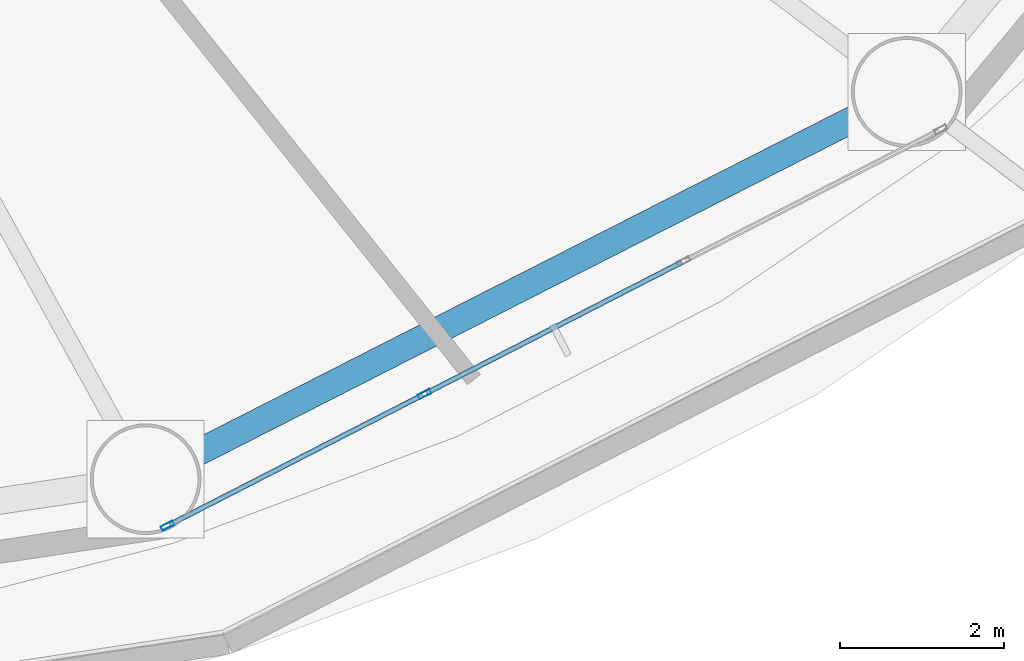
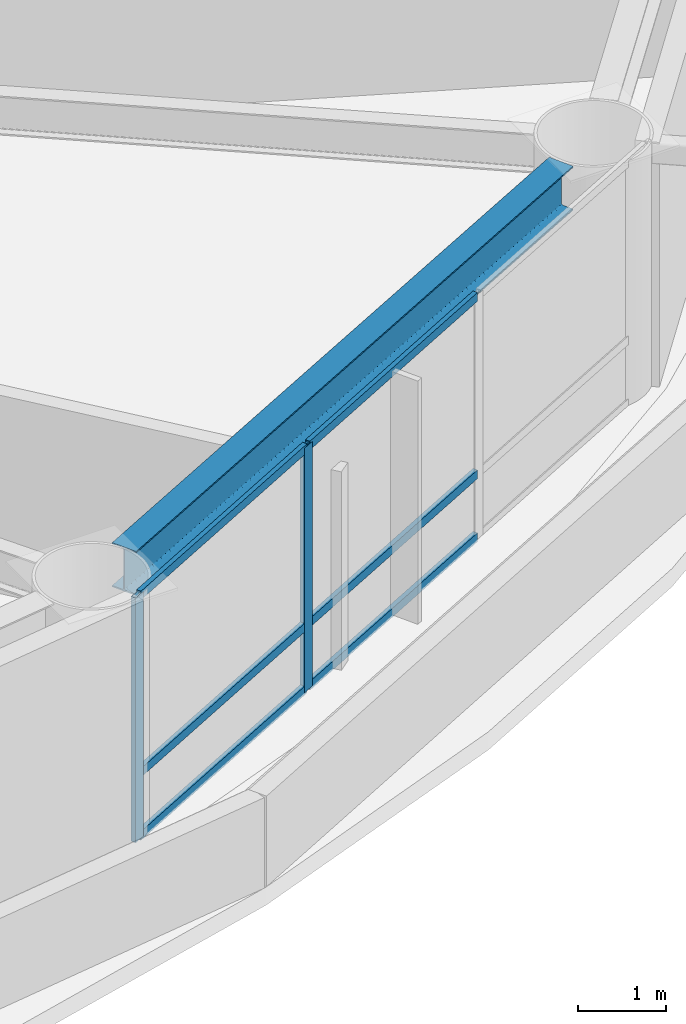
# One storey, part 4 of 25: 8 members, 1 beam, 1 element without a shape of its own.
"""IFC4 building model written with IfcOpenShell, lengths in metres."""

from ifc_helpers import new_model, si_unit, direction, frame, origin, origin_2d, place, context, subcontext, project, spatial, hollow_rectangle, i_section, extrude, material, layer, layer_set, material_profile, profile_set, type_object, element, aggregate, save


model = new_model("IFC4")

# Units and contexts
model_context = context("Model", 3, precision=1e-05, world=origin(), true_north=direction((0.0, 1.0)))
body_context = subcontext(model_context, "Body", "Model", "MODEL_VIEW")
ifc_project = project(units=[si_unit("LENGTHUNIT", "METRE"), si_unit("AREAUNIT", "SQUARE_METRE"), si_unit("VOLUMEUNIT", "CUBIC_METRE"), si_unit("PLANEANGLEUNIT", "RADIAN"), si_unit("MASSUNIT", "GRAM", prefix="KILO")], contexts=[model_context])

# Site, building, storey
site_placement = place(None, origin())
site = spatial("IfcSite", under=ifc_project, at=site_placement, CompositionType="ELEMENT")
building_placement = place(site_placement, origin())
building = spatial("IfcBuilding", under=site, at=building_placement, Name="Sarneth Arch Tower", CompositionType="ELEMENT")
storey_placement = place(building_placement, frame((0.0, 0.0, 84.0)))
storey = spatial("IfcBuildingStorey", under=building, at=storey_placement, Name="L20", CompositionType="ELEMENT", Elevation=84.0)

# Beam
ifc_material_1 = material(Name="Steel S355", Category="steel")
ifc_material_profile_1 = material_profile(ifc_material_1, i_section(OverallWidth=0.323974609375, OverallDepth=0.611083984375, WebThickness=0.0126953125, FlangeThickness=0.01904296875, FilletRadius=0.01904296875, at=origin_2d()), Name="W610x155")
ifc_profile_set_1 = profile_set([ifc_material_profile_1], Name="Steel S355")
beam_type = type_object("IfcBeamType", Name="BM-SPAN-610B", PredefinedType="SPANDREL", material=ifc_profile_set_1)
beam_placement = place(storey_placement, frame((59.7119140625, 22.16552734375, 3.074462890625), z_axis=(0.891255891792, 0.453500755619, 0.0), x_axis=(-0.453500755619, 0.891255891792, 0.0)))
element("IfcBeam", 1, at=beam_placement, inside=storey, type_object=beam_type, Name="L20 Perimeter spandrel beam 14", PredefinedType="SPANDREL", context=body_context, shape_type="SweptSolid", body=[
    extrude(i_section(OverallWidth=0.323974609375, OverallDepth=0.611083984375, WebThickness=0.0126953125, FlangeThickness=0.01904296875, FilletRadius=0.01904296875, at=origin_2d()), origin(), (0.0, 0.0, 1.0), 9.070556640625),
])

# Curtain wall, members
ifc_material_2 = material(Name="Anodised aluminium Type AA25 and solar-control low-e laminated IGU", Category="aluminium")
ifc_layer = layer(ifc_material_2, 0.159912109375)
ifc_layer_set = layer_set([ifc_layer], Name="Anodised aluminium Type AA25 and solar-control low-e laminated IGU")
curtain_wall_type = type_object("IfcCurtainWallType", Name="CW-HOTEL-MID", PredefinedType="NOTDEFINED", material=ifc_layer_set)
curtain_wall_placement = place(storey_placement, origin())
curtain_wall = element("IfcCurtainWall", 2, at=curtain_wall_placement, inside=storey, type_object=curtain_wall_type, Name="L20 Unitised curtain wall facet 14", PredefinedType="NOTDEFINED")
ifc_material_3 = material(Name="Anodised Aluminium 6063-T6", Category="aluminium")
ifc_material_profile_2 = material_profile(ifc_material_3, hollow_rectangle(XDim=0.06005859375, YDim=0.159912109375, WallThickness=0.00390625, at=origin_2d()), Name="AL-MULL-160x60x4")
ifc_profile_set_2 = profile_set([ifc_material_profile_2], Name="Anodised Aluminium 6063-T6")
member_type_1 = type_object("IfcMemberType", Name="CW-MULLION", PredefinedType="MULLION", material=ifc_profile_set_2)
member_1_placement = place(storey_placement, frame((59.3779296875, 21.291015625, 0.0), z_axis=(0.0, 0.0, 1.0), x_axis=(-0.456031365356, 0.889963703649, 0.0)))
member_1 = element("IfcMember", 3, at=member_1_placement, type_object=member_type_1, Name="CW-SYS-4 mullion 1", PredefinedType="MULLION", context=body_context, shape_type="SweptSolid", body=[
    extrude(hollow_rectangle(XDim=0.06005859375, YDim=0.159912109375, WallThickness=0.00390625, at=origin_2d()), origin(), (0.0, 0.0, 1.0), 3.3798828125),
])
member_2_placement = place(storey_placement, frame((62.51416015625, 22.898193359375, 0.0), z_axis=(0.0, 0.0, 1.0), x_axis=(-0.456031365356, 0.889963703649, 0.0)))
member_2 = element("IfcMember", 4, at=member_2_placement, type_object=member_type_1, Name="CW-SYS-4 mullion 2", PredefinedType="MULLION", context=body_context, shape_type="SweptSolid", body=[
    extrude(hollow_rectangle(XDim=0.06005859375, YDim=0.159912109375, WallThickness=0.00390625, at=origin_2d()), origin(), (0.0, 0.0, 1.0), 3.3798828125),
])
ifc_material_4 = material(Name="Anodised Aluminium 6063-T6", Category="aluminium")
ifc_material_profile_3 = material_profile(ifc_material_4, hollow_rectangle(XDim=0.06005859375, YDim=0.1201171875, WallThickness=0.00390625, at=origin_2d()), Name="AL-TRAN-120x60x4")
ifc_profile_set_3 = profile_set([ifc_material_profile_3], Name="Anodised Aluminium 6063-T6")
member_type_2 = type_object("IfcMemberType", Name="CW-TRANSOM", PredefinedType="USERDEFINED", material=ifc_profile_set_3)
member_3_placement = place(storey_placement, frame((59.404541015625, 21.3046875, 0.030029296875), z_axis=(0.889957563627, 0.456043347658, 0.0), x_axis=(-0.456043347658, 0.889957563627, 0.0)))
member_3 = element("IfcMember", 5, at=member_3_placement, type_object=member_type_2, Name="CW-SYS-4 transom 1.1", ObjectType="TRANSOM", PredefinedType="USERDEFINED", context=body_context, shape_type="SweptSolid", body=[
    extrude(hollow_rectangle(XDim=0.06005859375, YDim=0.1201171875, WallThickness=0.00390625, at=origin_2d()), origin(), (0.0, 0.0, 1.0), 3.464111328125),
])
member_4_placement = place(storey_placement, frame((59.404541015625, 21.3046875, 0.89990234375), z_axis=(0.889957563627, 0.456043347658, 0.0), x_axis=(-0.456043347658, 0.889957563627, 0.0)))
member_4 = element("IfcMember", 6, at=member_4_placement, type_object=member_type_2, Name="CW-SYS-4 transom 1.2", ObjectType="TRANSOM", PredefinedType="USERDEFINED", context=body_context, shape_type="SweptSolid", body=[
    extrude(hollow_rectangle(XDim=0.06005859375, YDim=0.1201171875, WallThickness=0.00390625, at=origin_2d()), origin(), (0.0, 0.0, 1.0), 3.464111328125),
])
member_5_placement = place(storey_placement, frame((59.404541015625, 21.3046875, 3.35009765625), z_axis=(0.889957563627, 0.456043347658, 0.0), x_axis=(-0.456043347658, 0.889957563627, 0.0)))
member_5 = element("IfcMember", 7, at=member_5_placement, type_object=member_type_2, Name="CW-SYS-4 transom 1.3", ObjectType="TRANSOM", PredefinedType="USERDEFINED", context=body_context, shape_type="SweptSolid", body=[
    extrude(hollow_rectangle(XDim=0.06005859375, YDim=0.1201171875, WallThickness=0.00390625, at=origin_2d()), origin(), (0.0, 0.0, 1.0), 3.464111328125),
])
member_6_placement = place(storey_placement, frame((62.540771484375, 22.911865234375, 0.030029296875), z_axis=(0.889981813856, 0.455996020823, 0.0), x_axis=(-0.455996020823, 0.889981813856, 0.0)))
member_6 = element("IfcMember", 8, at=member_6_placement, type_object=member_type_2, Name="CW-SYS-4 transom 2.1", ObjectType="TRANSOM", PredefinedType="USERDEFINED", context=body_context, shape_type="SweptSolid", body=[
    extrude(hollow_rectangle(XDim=0.06005859375, YDim=0.1201171875, WallThickness=0.00390625, at=origin_2d()), origin(), (0.0, 0.0, 1.0), 3.494140625),
])
member_7_placement = place(storey_placement, frame((62.540771484375, 22.911865234375, 0.89990234375), z_axis=(0.889981813856, 0.455996020823, 0.0), x_axis=(-0.455996020823, 0.889981813856, 0.0)))
member_7 = element("IfcMember", 9, at=member_7_placement, type_object=member_type_2, Name="CW-SYS-4 transom 2.2", ObjectType="TRANSOM", PredefinedType="USERDEFINED", context=body_context, shape_type="SweptSolid", body=[
    extrude(hollow_rectangle(XDim=0.06005859375, YDim=0.1201171875, WallThickness=0.00390625, at=origin_2d()), origin(), (0.0, 0.0, 1.0), 3.494140625),
])
member_8_placement = place(storey_placement, frame((62.540771484375, 22.911865234375, 3.35009765625), z_axis=(0.889981813856, 0.455996020823, 0.0), x_axis=(-0.455996020823, 0.889981813856, 0.0)))
member_8 = element("IfcMember", 10, at=member_8_placement, type_object=member_type_2, Name="CW-SYS-4 transom 2.3", ObjectType="TRANSOM", PredefinedType="USERDEFINED", context=body_context, shape_type="SweptSolid", body=[
    extrude(hollow_rectangle(XDim=0.06005859375, YDim=0.1201171875, WallThickness=0.00390625, at=origin_2d()), origin(), (0.0, 0.0, 1.0), 3.494140625),
])
aggregate(curtain_wall, [member_1, member_2, member_3, member_4, member_5, member_6, member_7, member_8])

save(model, "model.ifc")
